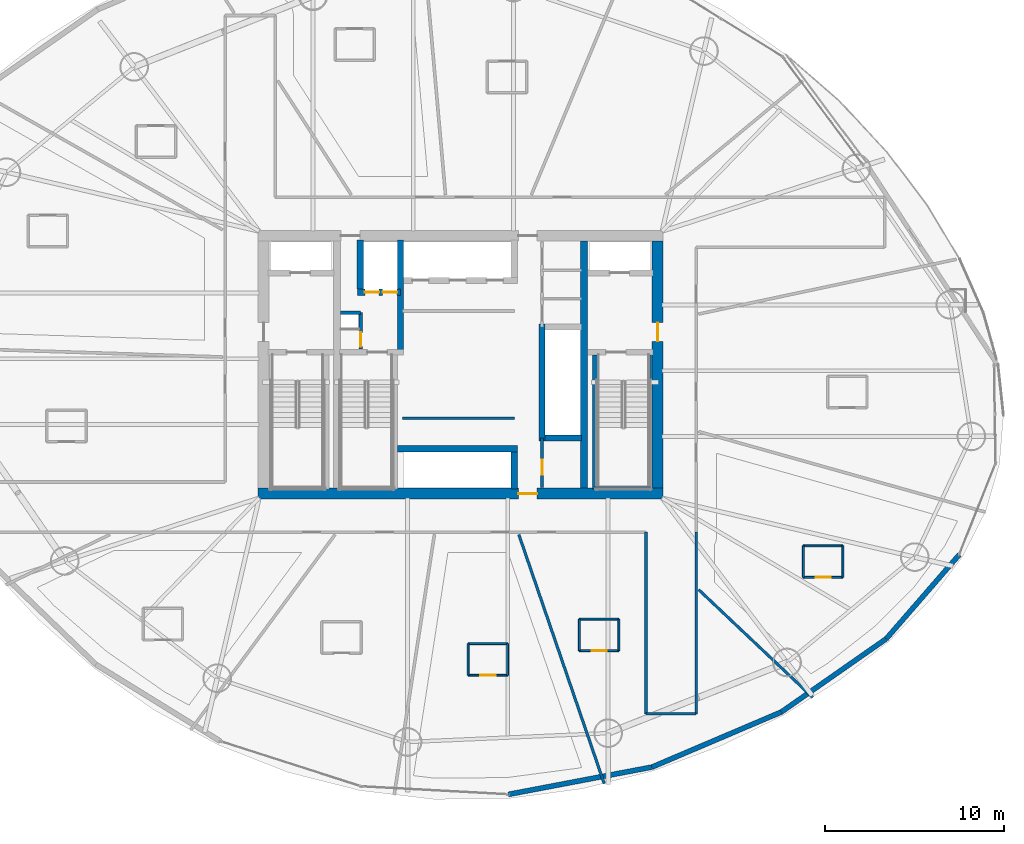
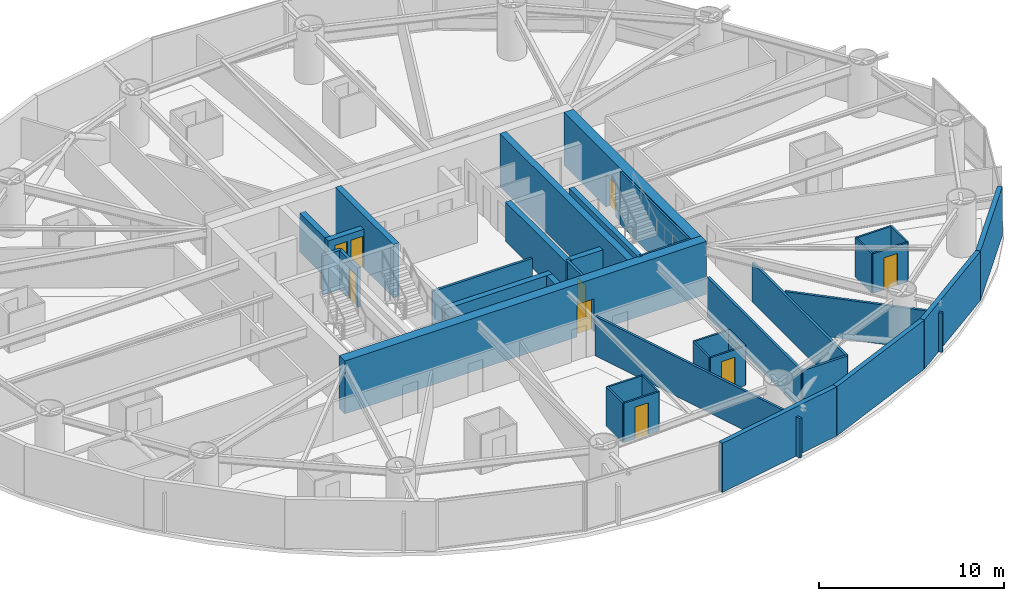
# One storey, part 20 of 26: 38 walls, 9 doors, 9 openings.
"""IFC4 building model written with IfcOpenShell, lengths in metres."""

from ifc_helpers import new_model, si_unit, direction, frame, frame_2d, origin, place, context, subcontext, project, spatial, rectangle, extrude, material, layer, layer_set, type_object, element, fill, save


model = new_model("IFC4")

# Units and contexts
model_context = context("Model", 3, precision=1e-05, world=origin(), true_north=direction((0.0, 1.0)))
body_context = subcontext(model_context, "Body", "Model", "MODEL_VIEW")
ifc_project = project(units=[si_unit("LENGTHUNIT", "METRE"), si_unit("AREAUNIT", "SQUARE_METRE"), si_unit("VOLUMEUNIT", "CUBIC_METRE"), si_unit("PLANEANGLEUNIT", "RADIAN"), si_unit("MASSUNIT", "GRAM", prefix="KILO")], contexts=[model_context])

# Site, building, storey
site_placement = place(None, origin())
site = spatial("IfcSite", under=ifc_project, at=site_placement, CompositionType="ELEMENT")
building_placement = place(site_placement, origin())
building = spatial("IfcBuilding", under=site, at=building_placement, Name="Bramvorn Convention Spire", CompositionType="ELEMENT")
storey_placement = place(building_placement, frame((0.0, 0.0, 76.39990234375)))
storey = spatial("IfcBuildingStorey", under=building, at=storey_placement, Name="L17", CompositionType="ELEMENT", Elevation=76.39990234375)

# Wall, opening, door
ifc_material_1 = material(Name="Concrete C60/70", Category="concrete")
ifc_layer_1 = layer(ifc_material_1, 0.60009765625)
ifc_layer_set_1 = layer_set([ifc_layer_1], Name="Concrete C60/70 - WL-CORE-600")
wall_type_1 = type_object("IfcWallType", Name="WL-CORE-600", PredefinedType="SHEAR", material=ifc_layer_set_1)
wall_1_placement = place(storey_placement, frame((26.699951171875, 18.800048828125, 0.0), z_axis=(0.0, 0.0, 1.0), x_axis=(1.0, 0.0, 0.0)))
wall_1 = element("IfcWall", 1, at=wall_1_placement, inside=storey, type_object=wall_type_1, Name="L17 South RC core shear wall", PredefinedType="SHEAR", context=body_context, shape_type="SweptSolid", body=[
    extrude(rectangle(XDim=22.60009765625, YDim=0.60009765625, at=frame_2d((11.300048828125, 0.0))), origin(), (0.0, 0.0, 1.0), 3.5),
])
opening_1_placement = place(wall_1_placement, frame((14.52001953125, 0.0, 0.0)))
opening_1 = element("IfcOpeningElement", 2, at=opening_1_placement, cuts=wall_1, Name="Opening DL-105", PredefinedType="OPENING", context=body_context, shape_type="SweptSolid", body=[
    extrude(rectangle(XDim=1.050048828125, YDim=2.14990234375, at=frame_2d((0.52490234375, 1.074951171875))), frame((0.0, 0.31005859375, 0.0), z_axis=(0.0, -1.0, 0.0), x_axis=(1.0, 0.0, 0.0)), (0.0, 0.0, 1.0), 0.6201171875),
])
ifc_material_2 = material(Name="Smoke-Sealed Fire Lobby Timber-Core Door", Category="wood")
door_type_1 = type_object("IfcDoorType", Name="DR-LOBBY-1050", OperationType="NOTDEFINED", PredefinedType="DOOR", material=ifc_material_2)
door_1_placement = place(opening_1_placement, origin())
door_1 = element("IfcDoor", 3, at=door_1_placement, inside=storey, type_object=door_type_1, Name="L17 South Lift Lobby fire door", OperationType="SINGLE_SWING_RIGHT", OverallHeight=2.14990234375, OverallWidth=1.050048828125, PredefinedType="DOOR", context=body_context, shape_type="SweptSolid", body=[
    extrude(rectangle(XDim=1.050048828125, YDim=2.14990234375, at=frame_2d((0.52490234375, 1.074951171875))), frame((0.0, 0.02490234375, 0.0), z_axis=(0.0, -1.0, 0.0), x_axis=(1.0, 0.0, 0.0)), (0.0, 0.0, 1.0), 0.050048828125),
])
fill(opening_1, door_1)

wall_2_placement = place(storey_placement, frame((49.0, 19.10009765625, 0.0), z_axis=(0.0, 0.0, 1.0), x_axis=(0.0, 1.0, 0.0)))
wall_2 = element("IfcWall", 4, at=wall_2_placement, inside=storey, type_object=wall_type_1, Name="L17 East RC core shear wall", PredefinedType="SHEAR", context=body_context, shape_type="SweptSolid", body=[
    extrude(rectangle(XDim=13.7998046875, YDim=0.60009765625, at=frame_2d((6.89990234375, 0.0))), origin(), (0.0, 0.0, 1.0), 3.5),
])
opening_2_placement = place(wall_2_placement, frame((8.199951171875, 0.0, 0.0)))
opening_2 = element("IfcOpeningElement", 5, at=opening_2_placement, cuts=wall_2, Name="Opening DL-105", PredefinedType="OPENING", context=body_context, shape_type="SweptSolid", body=[
    extrude(rectangle(XDim=1.050048828125, YDim=2.14990234375, at=frame_2d((0.52490234375, 1.074951171875))), frame((0.0, 0.31005859375, 0.0), z_axis=(0.0, -1.0, 0.0), x_axis=(1.0, 0.0, 0.0)), (0.0, 0.0, 1.0), 0.6201171875),
])
door_2_placement = place(opening_2_placement, origin())
door_2 = element("IfcDoor", 6, at=door_2_placement, inside=storey, type_object=door_type_1, Name="L17 East Firefighting Lobby corridor door", OperationType="SINGLE_SWING_LEFT", OverallHeight=2.14990234375, OverallWidth=1.050048828125, PredefinedType="DOOR", context=body_context, shape_type="SweptSolid", body=[
    extrude(rectangle(XDim=1.050048828125, YDim=2.14990234375, at=frame_2d((0.52490234375, 1.074951171875))), frame((0.0, 0.02490234375, 0.0), z_axis=(0.0, -1.0, 0.0), x_axis=(1.0, 0.0, 0.0)), (0.0, 0.0, 1.0), 0.050048828125),
])
fill(opening_2, door_2)

# Wall
ifc_material_3 = material(Name="Concrete C50/60", Category="concrete")
ifc_layer_2 = layer(ifc_material_3, 0.35009765625)
ifc_layer_set_2 = layer_set([ifc_layer_2], Name="Concrete C50/60 - WL-CORE-INT-350")
wall_type_2 = type_object("IfcWallType", Name="WL-CORE-INT-350", PredefinedType="SHEAR", material=ifc_layer_set_2)
wall_3_placement = place(storey_placement, frame((34.639892578125, 26.68994140625, 0.0), z_axis=(0.0, 0.0, 1.0), x_axis=(0.0, 1.0, 0.0)))
element("IfcWall", 7, at=wall_3_placement, inside=storey, type_object=wall_type_2, Name="L17 SV east core shaft wall", PredefinedType="SHEAR", context=body_context, shape_type="SweptSolid", body=[
    extrude(rectangle(XDim=6.260009765625, YDim=0.35009765625, at=frame_2d((3.1298828125, 0.0))), origin(), (0.0, 0.0, 1.0), 3.5),
])

# Wall, openings, doors
wall_4_placement = place(storey_placement, frame((32.22998046875, 30.050048828125, 0.0), z_axis=(0.0, 0.0, 1.0), x_axis=(1.0, 0.0, 0.0)))
wall_4 = element("IfcWall", 8, at=wall_4_placement, inside=storey, type_object=wall_type_2, Name="L17 SV1/SV2 shaft front wall", PredefinedType="SHEAR", context=body_context, shape_type="SweptSolid", body=[
    extrude(rectangle(XDim=2.409912109375, YDim=0.35009765625, at=frame_2d((1.205078125, 0.0))), origin(), (0.0, 0.0, 1.0), 2.60009765625),
])
opening_3_placement = place(wall_4_placement, frame((0.419921875, 0.0, 0.0)))
opening_3 = element("IfcOpeningElement", 9, at=opening_3_placement, cuts=wall_4, Name="Opening LD-080", PredefinedType="OPENING", context=body_context, shape_type="SweptSolid", body=[
    extrude(rectangle(XDim=0.800048828125, YDim=2.14990234375, at=frame_2d((0.39990234375, 1.074951171875))), frame((0.0, 0.18505859375, 0.0), z_axis=(0.0, -1.0, 0.0), x_axis=(1.0, 0.0, 0.0)), (0.0, 0.0, 1.0), 0.3701171875),
])
opening_4_placement = place(wall_4_placement, frame((1.419921875, 0.0, 0.0)))
opening_4 = element("IfcOpeningElement", 10, at=opening_4_placement, cuts=wall_4, Name="Opening LD-080", PredefinedType="OPENING", context=body_context, shape_type="SweptSolid", body=[
    extrude(rectangle(XDim=0.800048828125, YDim=2.14990234375, at=frame_2d((0.39990234375, 1.074951171875))), frame((0.0, 0.18505859375, 0.0), z_axis=(0.0, -1.0, 0.0), x_axis=(1.0, 0.0, 0.0)), (0.0, 0.0, 1.0), 0.3701171875),
])
ifc_material_4 = material(Name="Service Lift Bi-Parting Landing Door", Category="steel")
door_type_2 = type_object("IfcDoorType", Name="DR-LIFT-LD-800", OperationType="NOTDEFINED", PredefinedType="DOOR", material=ifc_material_4)
door_3_placement = place(opening_3_placement, origin())
door_3 = element("IfcDoor", 11, at=door_3_placement, inside=storey, type_object=door_type_2, Name="L17 Lift SV1 Sliding Landing Door", OperationType="SLIDING_TO_LEFT", OverallHeight=2.14990234375, OverallWidth=0.800048828125, PredefinedType="DOOR", context=body_context, shape_type="SweptSolid", body=[
    extrude(rectangle(XDim=0.800048828125, YDim=2.14990234375, at=frame_2d((0.39990234375, 1.074951171875))), frame((0.0, 0.02490234375, 0.0), z_axis=(0.0, -1.0, 0.0), x_axis=(1.0, 0.0, 0.0)), (0.0, 0.0, 1.0), 0.050048828125),
])
fill(opening_3, door_3)
door_4_placement = place(opening_4_placement, origin())
door_4 = element("IfcDoor", 12, at=door_4_placement, inside=storey, type_object=door_type_2, Name="L17 Lift SV2 Sliding Landing Door", OperationType="SLIDING_TO_LEFT", OverallHeight=2.14990234375, OverallWidth=0.800048828125, PredefinedType="DOOR", context=body_context, shape_type="SweptSolid", body=[
    extrude(rectangle(XDim=0.800048828125, YDim=2.14990234375, at=frame_2d((0.39990234375, 1.074951171875))), frame((0.0, 0.02490234375, 0.0), z_axis=(0.0, -1.0, 0.0), x_axis=(1.0, 0.0, 0.0)), (0.0, 0.0, 1.0), 0.050048828125),
])
fill(opening_4, door_4)

# Walls
wall_5_placement = place(storey_placement, frame((32.39990234375, 30.219970703125, 0.0), z_axis=(0.0, 0.0, 1.0), x_axis=(0.0, 1.0, 0.0)))
element("IfcWall", 13, at=wall_5_placement, inside=storey, type_object=wall_type_2, Name="L17 SV1 west hoistway wall", PredefinedType="SHEAR", context=body_context, shape_type="SweptSolid", body=[
    extrude(rectangle(XDim=2.72998046875, YDim=0.35009765625, at=frame_2d((1.364990234375, 0.0))), origin(), (0.0, 0.0, 1.0), 2.60009765625),
])
wall_6_placement = place(storey_placement, frame((42.550048828125, 21.72998046875, 0.0), z_axis=(0.0, 0.0, 1.0), x_axis=(0.0, 1.0, 0.0)))
element("IfcWall", 14, at=wall_6_placement, inside=storey, type_object=wall_type_2, Name="L17 High-rise lift bank west wall", PredefinedType="SHEAR", context=body_context, shape_type="SweptSolid", body=[
    extrude(rectangle(XDim=6.5400390625, YDim=0.35009765625, at=frame_2d((3.27001953125, 0.0))), origin(), (0.0, 0.0, 1.0), 2.60009765625),
])
wall_7_placement = place(storey_placement, frame((42.719970703125, 21.89990234375, 0.0), z_axis=(0.0, 0.0, 1.0), x_axis=(1.0, 0.0, 0.0)))
element("IfcWall", 15, at=wall_7_placement, inside=storey, type_object=wall_type_2, Name="L17 High-rise lift bank south wall", PredefinedType="SHEAR", context=body_context, shape_type="SweptSolid", body=[
    extrude(rectangle(XDim=2.030029296875, YDim=0.35009765625, at=frame_2d((1.01513671875, 0.0))), origin(), (0.0, 0.0, 1.0), 2.60009765625),
])
wall_8_placement = place(storey_placement, frame((34.489990234375, 21.300048828125, 0.0), z_axis=(0.0, 0.0, 1.0), x_axis=(1.0, 0.0, 0.0)))
element("IfcWall", 16, at=wall_8_placement, inside=storey, type_object=wall_type_2, Name="L17 Mid-rise bank north landing wall", PredefinedType="SHEAR", context=body_context, shape_type="SweptSolid", body=[
    extrude(rectangle(XDim=6.679931640625, YDim=0.35009765625, at=frame_2d((3.33984375, 0.0))), origin(), (0.0, 0.0, 1.0), 2.60009765625),
])
wall_9_placement = place(storey_placement, frame((41.0, 19.050048828125, 0.0), z_axis=(0.0, 0.0, 1.0), x_axis=(0.0, 1.0, 0.0)))
element("IfcWall", 17, at=wall_9_placement, inside=storey, type_object=wall_type_2, Name="L17 Mid-rise bank east cheek wall", PredefinedType="SHEAR", context=body_context, shape_type="SweptSolid", body=[
    extrude(rectangle(XDim=2.079833984375, YDim=0.35009765625, at=frame_2d((1.0400390625, 0.0))), origin(), (0.0, 0.0, 1.0), 2.60009765625),
])
ifc_layer_3 = layer(ifc_material_1, 0.39990234375)
ifc_layer_set_3 = layer_set([ifc_layer_3], Name="Concrete C60/70 - WL-CORE-INT-400")
wall_type_3 = type_object("IfcWallType", Name="WL-CORE-INT-400", PredefinedType="SHEAR", material=ifc_layer_set_3)
wall_10_placement = place(storey_placement, frame((44.89990234375, 19.10009765625, 0.0), z_axis=(0.0, 0.0, 1.0), x_axis=(0.0, 1.0, 0.0)))
element("IfcWall", 18, at=wall_10_placement, inside=storey, type_object=wall_type_3, Name="L17 East internal core shear web", PredefinedType="SHEAR", context=body_context, shape_type="SweptSolid", body=[
    extrude(rectangle(XDim=13.7998046875, YDim=0.39990234375, at=frame_2d((6.89990234375, 0.0))), origin(), (0.0, 0.0, 1.0), 3.5),
])
ifc_material_5 = material(Name="Precast Concrete C40/50 with Bronze Terracotta Rainscreen", Category="masonry")
ifc_layer_4 = layer(ifc_material_5, 0.300048828125)
ifc_layer_set_4 = layer_set([ifc_layer_4], Name="Precast Concrete C40/50 with Bronze Terracotta Rainscreen - WL-EXT-BRONZE-300")
wall_type_4 = type_object("IfcWallType", Name="WL-EXT-BRONZE-300", PredefinedType="SOLIDWALL", material=ifc_layer_set_4)
wall_11_placement = place(storey_placement, frame((48.69189453125, 3.531005859375, 0.0), z_axis=(0.0, 0.0, 1.0), x_axis=(-0.982367584705, -0.186959697585, 0.0)))
element("IfcWall", 19, at=wall_11_placement, inside=storey, type_object=wall_type_4, Name="L17 expressed bronze Gothic lancet pier wall 20", PredefinedType="SOLIDWALL", context=body_context, shape_type="SweptSolid", body=[
    extrude(rectangle(XDim=8.170654296875, YDim=0.280029296875, at=frame_2d((4.08544921875, 0.0))), origin(), (0.0, 0.0, 1.0), 3.25),
])
wall_12_placement = place(storey_placement, frame((55.90966796875, 6.604736328125, 0.0), z_axis=(0.0, 0.0, 1.0), x_axis=(-0.920047247752, -0.391807429617, 0.0)))
element("IfcWall", 20, at=wall_12_placement, inside=storey, type_object=wall_type_4, Name="L17 expressed bronze Gothic lancet pier wall 21", PredefinedType="SOLIDWALL", context=body_context, shape_type="SweptSolid", body=[
    extrude(rectangle(XDim=7.844970703125, YDim=0.280029296875, at=frame_2d((3.92236328125, 0.0))), origin(), (0.0, 0.0, 1.0), 3.25),
])
wall_13_placement = place(storey_placement, frame((61.766845703125, 10.69287109375, 0.0), z_axis=(0.0, 0.0, 1.0), x_axis=(-0.820013170428, -0.572344651695, 0.0)))
element("IfcWall", 21, at=wall_13_placement, inside=storey, type_object=wall_type_4, Name="L17 expressed bronze Gothic lancet pier wall 22", PredefinedType="SOLIDWALL", context=body_context, shape_type="SweptSolid", body=[
    extrude(rectangle(XDim=7.142822265625, YDim=0.280029296875, at=frame_2d((3.5712890625, 0.0))), origin(), (0.0, 0.0, 1.0), 3.25),
])
wall_14_placement = place(storey_placement, frame((65.840087890625, 15.38330078125, 0.0), z_axis=(0.0, 0.0, 1.0), x_axis=(-0.655684297122, -0.755035166405, 0.0)))
element("IfcWall", 22, at=wall_14_placement, inside=storey, type_object=wall_type_4, Name="L17 expressed bronze Gothic lancet pier wall 23", PredefinedType="SOLIDWALL", context=body_context, shape_type="SweptSolid", body=[
    extrude(rectangle(XDim=6.212158203125, YDim=0.280029296875, at=frame_2d((3.10595703125, 0.0))), origin(), (0.0, 0.0, 1.0), 3.25),
])

# Wall, opening, door
ifc_material_6 = material(Name="Lightweight En-Suite & Wet-Wall Partition", Category="gypsum")
ifc_layer_5 = layer(ifc_material_6, 0.110107421875)
ifc_layer_set_5 = layer_set([ifc_layer_5], Name="Lightweight En-Suite & Wet-Wall Partition - WL-PART-110")
wall_type_5 = type_object("IfcWallType", Name="WL-PART-110", PredefinedType="PARTITIONING", material=ifc_layer_set_5)
wall_15_placement = place(storey_placement, frame((38.425048828125, 8.656982421875, 0.0), z_axis=(0.0, 0.0, 1.0), x_axis=(1.0, 0.0, 0.0)))
wall_15 = element("IfcWall", 23, at=wall_15_placement, inside=storey, type_object=wall_type_5, Name="Hotel Suite 1710 en-suite south wall", PredefinedType="PARTITIONING", context=body_context, shape_type="SweptSolid", body=[
    extrude(rectangle(XDim=2.199951171875, YDim=0.110107421875, at=frame_2d((1.10009765625, 0.0))), origin(), (0.0, 0.0, 1.0), 2.60009765625),
])
opening_5_placement = place(wall_15_placement, frame((0.679931640625, 0.0, 0.0)))
opening_5 = element("IfcOpeningElement", 24, at=opening_5_placement, cuts=wall_15, Name="Opening DI-085", PredefinedType="OPENING", context=body_context, shape_type="SweptSolid", body=[
    extrude(rectangle(XDim=0.85009765625, YDim=2.10009765625, at=frame_2d((0.425048828125, 1.050048828125))), frame((0.0, 0.06494140625, 0.0), z_axis=(0.0, -1.0, 0.0), x_axis=(1.0, 0.0, 0.0)), (0.0, 0.0, 1.0), 0.130126953125),
])
ifc_material_7 = material(Name="En-Suite & Restroom Privacy Door", Category="wood")
door_type_3 = type_object("IfcDoorType", Name="DR-INT-850", OperationType="NOTDEFINED", PredefinedType="DOOR", material=ifc_material_7)
door_5_placement = place(opening_5_placement, origin())
door_5 = element("IfcDoor", 25, at=door_5_placement, inside=storey, type_object=door_type_3, Name="Hotel Suite 1710 En-Suite Bathroom door", OperationType="SINGLE_SWING_LEFT", OverallHeight=2.10009765625, OverallWidth=0.85009765625, PredefinedType="DOOR", context=body_context, shape_type="SweptSolid", body=[
    extrude(rectangle(XDim=0.85009765625, YDim=2.10009765625, at=frame_2d((0.425048828125, 1.050048828125))), frame((0.0, 0.02490234375, 0.0), z_axis=(0.0, -1.0, 0.0), x_axis=(1.0, 0.0, 0.0)), (0.0, 0.0, 1.0), 0.050048828125),
])
fill(opening_5, door_5)

# Walls
wall_16_placement = place(storey_placement, frame((38.425048828125, 10.4169921875, 0.0), z_axis=(0.0, 0.0, 1.0), x_axis=(1.0, 0.0, 0.0)))
element("IfcWall", 26, at=wall_16_placement, inside=storey, type_object=wall_type_5, Name="Hotel Suite 1710 en-suite north wall", PredefinedType="PARTITIONING", context=body_context, shape_type="SweptSolid", body=[
    extrude(rectangle(XDim=2.199951171875, YDim=0.110107421875, at=frame_2d((1.10009765625, 0.0))), origin(), (0.0, 0.0, 1.0), 2.60009765625),
])
for number, where, z_axis, x_axis, name in (
    (27, (38.425048828125, 8.656982421875, 0.0), (0.0, 0.0, 1.0), (0.0, 1.0, 0.0), "Hotel Suite 1710 en-suite west wall"),
    (28, (40.625, 8.656982421875, 0.0), (0.0, 0.0, 1.0), (0.0, 1.0, 0.0), "Hotel Suite 1710 en-suite east wall"),
):
    element("IfcWall", number, at=place(storey_placement, frame(where, z_axis=z_axis, x_axis=x_axis)), inside=storey, type_object=wall_type_5, Name=name, PredefinedType="PARTITIONING", context=body_context, shape_type="SweptSolid", body=[
        extrude(rectangle(XDim=1.760009765625, YDim=0.110107421875, at=frame_2d((0.8798828125, 0.0))), origin(), (0.0, 0.0, 1.0), 2.60009765625),
    ])

# Wall, opening, door
wall_17_placement = place(storey_placement, frame((44.635009765625, 10.034912109375, 0.0), z_axis=(0.0, 0.0, 1.0), x_axis=(1.0, 0.0, 0.0)))
wall_17 = element("IfcWall", 29, at=wall_17_placement, inside=storey, type_object=wall_type_5, Name="Hotel Suite 1711 en-suite south wall", PredefinedType="PARTITIONING", context=body_context, shape_type="SweptSolid", body=[
    extrude(rectangle(XDim=2.199951171875, YDim=0.110107421875, at=frame_2d((1.10009765625, 0.0))), origin(), (0.0, 0.0, 1.0), 2.60009765625),
])
opening_6_placement = place(wall_17_placement, frame((0.679931640625, 0.0, 0.0)))
opening_6 = element("IfcOpeningElement", 30, at=opening_6_placement, cuts=wall_17, Name="Opening DI-085", PredefinedType="OPENING", context=body_context, shape_type="SweptSolid", body=[
    extrude(rectangle(XDim=0.85009765625, YDim=2.10009765625, at=frame_2d((0.425048828125, 1.050048828125))), frame((0.0, 0.06494140625, 0.0), z_axis=(0.0, -1.0, 0.0), x_axis=(1.0, 0.0, 0.0)), (0.0, 0.0, 1.0), 0.130126953125),
])
door_6_placement = place(opening_6_placement, origin())
door_6 = element("IfcDoor", 31, at=door_6_placement, inside=storey, type_object=door_type_3, Name="Hotel Suite 1711 En-Suite Bathroom door", OperationType="SINGLE_SWING_LEFT", OverallHeight=2.10009765625, OverallWidth=0.85009765625, PredefinedType="DOOR", context=body_context, shape_type="SweptSolid", body=[
    extrude(rectangle(XDim=0.85009765625, YDim=2.10009765625, at=frame_2d((0.425048828125, 1.050048828125))), frame((0.0, 0.02490234375, 0.0), z_axis=(0.0, -1.0, 0.0), x_axis=(1.0, 0.0, 0.0)), (0.0, 0.0, 1.0), 0.050048828125),
])
fill(opening_6, door_6)

# Walls
wall_18_placement = place(storey_placement, frame((44.635009765625, 11.794921875, 0.0), z_axis=(0.0, 0.0, 1.0), x_axis=(1.0, 0.0, 0.0)))
element("IfcWall", 32, at=wall_18_placement, inside=storey, type_object=wall_type_5, Name="Hotel Suite 1711 en-suite north wall", PredefinedType="PARTITIONING", context=body_context, shape_type="SweptSolid", body=[
    extrude(rectangle(XDim=2.199951171875, YDim=0.110107421875, at=frame_2d((1.10009765625, 0.0))), origin(), (0.0, 0.0, 1.0), 2.60009765625),
])
for number, where, z_axis, x_axis, name in (
    (33, (44.635009765625, 10.034912109375, 0.0), (0.0, 0.0, 1.0), (0.0, 1.0, 0.0), "Hotel Suite 1711 en-suite west wall"),
    (34, (46.8349609375, 10.034912109375, 0.0), (0.0, 0.0, 1.0), (0.0, 1.0, 0.0), "Hotel Suite 1711 en-suite east wall"),
):
    element("IfcWall", number, at=place(storey_placement, frame(where, z_axis=z_axis, x_axis=x_axis)), inside=storey, type_object=wall_type_5, Name=name, PredefinedType="PARTITIONING", context=body_context, shape_type="SweptSolid", body=[
        extrude(rectangle(XDim=1.760009765625, YDim=0.110107421875, at=frame_2d((0.8798828125, 0.0))), origin(), (0.0, 0.0, 1.0), 2.60009765625),
    ])

# Wall, opening, door
wall_19_placement = place(storey_placement, frame((57.14111328125, 14.125732421875, 0.0), z_axis=(0.0, 0.0, 1.0), x_axis=(1.0, 0.0, 0.0)))
wall_19 = element("IfcWall", 35, at=wall_19_placement, inside=storey, type_object=wall_type_5, Name="Hotel Suite 1712 en-suite south wall", PredefinedType="PARTITIONING", context=body_context, shape_type="SweptSolid", body=[
    extrude(rectangle(XDim=2.199951171875, YDim=0.110107421875, at=frame_2d((1.10009765625, 0.0))), origin(), (0.0, 0.0, 1.0), 2.60009765625),
])
opening_7_placement = place(wall_19_placement, frame((0.679931640625, 0.0, 0.0)))
opening_7 = element("IfcOpeningElement", 36, at=opening_7_placement, cuts=wall_19, Name="Opening DI-085", PredefinedType="OPENING", context=body_context, shape_type="SweptSolid", body=[
    extrude(rectangle(XDim=0.85009765625, YDim=2.10009765625, at=frame_2d((0.425048828125, 1.050048828125))), frame((0.0, 0.06494140625, 0.0), z_axis=(0.0, -1.0, 0.0), x_axis=(1.0, 0.0, 0.0)), (0.0, 0.0, 1.0), 0.130126953125),
])
door_7_placement = place(opening_7_placement, origin())
door_7 = element("IfcDoor", 37, at=door_7_placement, inside=storey, type_object=door_type_3, Name="Hotel Suite 1712 En-Suite Bathroom door", OperationType="SINGLE_SWING_LEFT", OverallHeight=2.10009765625, OverallWidth=0.85009765625, PredefinedType="DOOR", context=body_context, shape_type="SweptSolid", body=[
    extrude(rectangle(XDim=0.85009765625, YDim=2.10009765625, at=frame_2d((0.425048828125, 1.050048828125))), frame((0.0, 0.02490234375, 0.0), z_axis=(0.0, -1.0, 0.0), x_axis=(1.0, 0.0, 0.0)), (0.0, 0.0, 1.0), 0.050048828125),
])
fill(opening_7, door_7)

# Walls
wall_20_placement = place(storey_placement, frame((57.14111328125, 15.8857421875, 0.0), z_axis=(0.0, 0.0, 1.0), x_axis=(1.0, 0.0, 0.0)))
element("IfcWall", 38, at=wall_20_placement, inside=storey, type_object=wall_type_5, Name="Hotel Suite 1712 en-suite north wall", PredefinedType="PARTITIONING", context=body_context, shape_type="SweptSolid", body=[
    extrude(rectangle(XDim=2.199951171875, YDim=0.110107421875, at=frame_2d((1.10009765625, 0.0))), origin(), (0.0, 0.0, 1.0), 2.60009765625),
])
for number, where, z_axis, x_axis, name in (
    (39, (57.14111328125, 14.125732421875, 0.0), (0.0, 0.0, 1.0), (0.0, 1.0, 0.0), "Hotel Suite 1712 en-suite west wall"),
    (40, (59.341064453125, 14.125732421875, 0.0), (0.0, 0.0, 1.0), (0.0, 1.0, 0.0), "Hotel Suite 1712 en-suite east wall"),
):
    element("IfcWall", number, at=place(storey_placement, frame(where, z_axis=z_axis, x_axis=x_axis)), inside=storey, type_object=wall_type_5, Name=name, PredefinedType="PARTITIONING", context=body_context, shape_type="SweptSolid", body=[
        extrude(rectangle(XDim=1.760009765625, YDim=0.110107421875, at=frame_2d((0.8798828125, 0.0))), origin(), (0.0, 0.0, 1.0), 2.60009765625),
    ])
ifc_material_8 = material(Name="Acoustic Metal-Stud Tenant/Corridor Partition", Category="gypsum")
ifc_layer_6 = layer(ifc_material_8, 0.14990234375)
ifc_layer_set_6 = layer_set([ifc_layer_6], Name="Acoustic Metal-Stud Tenant/Corridor Partition - WL-PART-150")
wall_type_6 = type_object("IfcWallType", Name="WL-PART-150", PredefinedType="PARTITIONING", material=ifc_layer_set_6)
wall_21_placement = place(storey_placement, frame((34.75, 23.0, 0.0), z_axis=(0.0, 0.0, 1.0), x_axis=(1.0, 0.0, 0.0)))
element("IfcWall", 41, at=wall_21_placement, inside=storey, type_object=wall_type_6, Name="L17 Mid-rise lift vestibule north wall", PredefinedType="PARTITIONING", context=body_context, shape_type="SweptSolid", body=[
    extrude(rectangle(XDim=6.25, YDim=0.14990234375, at=frame_2d((3.125, 0.0))), origin(), (0.0, 0.0, 1.0), 2.60009765625),
])

# Wall, opening, door
wall_22_placement = place(storey_placement, frame((42.550048828125, 19.14990234375, 0.0), z_axis=(0.0, 0.0, 1.0), x_axis=(0.0, 1.0, 0.0)))
wall_22 = element("IfcWall", 42, at=wall_22_placement, inside=storey, type_object=wall_type_6, Name="L17 KC SE wall", PredefinedType="PARTITIONING", context=body_context, shape_type="SweptSolid", body=[
    extrude(rectangle(XDim=2.75, YDim=0.14990234375, at=frame_2d((1.375, 0.0))), origin(), (0.0, 0.0, 1.0), 2.60009765625),
])
opening_8_placement = place(wall_22_placement, frame((0.699951171875, 0.0, 0.0)))
opening_8 = element("IfcOpeningElement", 43, at=opening_8_placement, cuts=wall_22, Name="Opening DC-085", PredefinedType="OPENING", context=body_context, shape_type="SweptSolid", body=[
    extrude(rectangle(XDim=0.85009765625, YDim=2.10009765625, at=frame_2d((0.425048828125, 1.050048828125))), frame((0.0, 0.0849609375, 0.0), z_axis=(0.0, -1.0, 0.0), x_axis=(1.0, 0.0, 0.0)), (0.0, 0.0, 1.0), 0.169921875),
])
ifc_material_9 = material(Name="Fire-Rated Core Washroom & IDF Door", Category="wood")
door_type_4 = type_object("IfcDoorType", Name="DR-CORE-850", OperationType="NOTDEFINED", PredefinedType="DOOR", material=ifc_material_9)
door_8_placement = place(opening_8_placement, origin())
door_8 = element("IfcDoor", 44, at=door_8_placement, inside=storey, type_object=door_type_4, Name="L17 Core Valve & Riser Room door", OperationType="SINGLE_SWING_LEFT", OverallHeight=2.10009765625, OverallWidth=0.85009765625, PredefinedType="DOOR", context=body_context, shape_type="SweptSolid", body=[
    extrude(rectangle(XDim=0.85009765625, YDim=2.10009765625, at=frame_2d((0.425048828125, 1.050048828125))), frame((0.0, 0.02490234375, 0.0), z_axis=(0.0, -1.0, 0.0), x_axis=(1.0, 0.0, 0.0)), (0.0, 0.0, 1.0), 0.050048828125),
])
fill(opening_8, door_8)

# Walls
for number, where, z_axis, x_axis, name in (
    (45, (48.35009765625, 6.5, 0.0), (0.0, 0.0, 1.0), (0.0, 1.0, 0.0), "L17 SE pinwheel wing west wall"),
    (46, (51.14990234375, 6.5, 0.0), (0.0, 0.0, 1.0), (0.0, 1.0, 0.0), "L17 SE pinwheel wing east wall"),
):
    element("IfcWall", number, at=place(storey_placement, frame(where, z_axis=z_axis, x_axis=x_axis)), inside=storey, type_object=wall_type_6, Name=name, PredefinedType="PARTITIONING", context=body_context, shape_type="SweptSolid", body=[
        extrude(rectangle(XDim=10.14990234375, YDim=0.14990234375, at=frame_2d((5.074951171875, 0.0))), origin(), (0.0, 0.0, 1.0), 2.60009765625),
    ])
wall_23_placement = place(storey_placement, frame((48.35009765625, 6.5, 0.0), z_axis=(0.0, 0.0, 1.0), x_axis=(1.0, 0.0, 0.0)))
element("IfcWall", 47, at=wall_23_placement, inside=storey, type_object=wall_type_6, Name="L17 SE pinwheel end wall", PredefinedType="PARTITIONING", context=body_context, shape_type="SweptSolid", body=[
    extrude(rectangle(XDim=2.7998046875, YDim=0.14990234375, at=frame_2d((1.39990234375, 0.0))), origin(), (0.0, 0.0, 1.0), 2.60009765625),
])
wall_24_placement = place(storey_placement, frame((41.25341796875, 16.510009765625, 0.0), z_axis=(0.0, 0.0, 1.0), x_axis=(0.324297168355, -0.945955256128, 0.0)))
element("IfcWall", 48, at=wall_24_placement, inside=storey, type_object=wall_type_6, Name="L17 Guestroom demising wall 11", PredefinedType="PARTITIONING", context=body_context, shape_type="SweptSolid", body=[
    extrude(rectangle(XDim=14.710205078125, YDim=0.14990234375, at=frame_2d((7.35498046875, 0.0))), origin(), (0.0, 0.0, 1.0), 2.60009765625),
])
wall_25_placement = place(storey_placement, frame((51.2900390625, 13.43896484375, 0.0), z_axis=(0.0, 0.0, 1.0), x_axis=(0.726754697613, -0.686897087996, 0.0)))
element("IfcWall", 49, at=wall_25_placement, inside=storey, type_object=wall_type_6, Name="L17 Guestroom demising wall 12", PredefinedType="PARTITIONING", context=body_context, shape_type="SweptSolid", body=[
    extrude(rectangle(XDim=8.777587890625, YDim=0.14990234375, at=frame_2d((4.388671875, 0.0))), origin(), (0.0, 0.0, 1.0), 2.60009765625),
])

# Wall, opening, door
ifc_material_10 = material(Name="Gypsum Shaftwall & Rockwool Core Partition", Category="gypsum")
ifc_layer_7 = layer(ifc_material_10, 0.199951171875)
ifc_layer_set_7 = layer_set([ifc_layer_7], Name="Gypsum Shaftwall & Rockwool Core Partition - WL-PART-200-FR")
wall_type_7 = type_object("IfcWallType", Name="WL-PART-200-FR", PredefinedType="PARTITIONING", material=ifc_layer_set_7)
wall_26_placement = place(storey_placement, frame((32.419921875, 26.860107421875, 0.0), z_axis=(0.0, 0.0, 1.0), x_axis=(0.0, 1.0, 0.0)))
wall_26 = element("IfcWall", 50, at=wall_26_placement, inside=storey, type_object=wall_type_7, Name="L17 Telecom riser east wall", PredefinedType="PARTITIONING", context=body_context, shape_type="SweptSolid", body=[
    extrude(rectangle(XDim=2.039794921875, YDim=0.199951171875, at=frame_2d((1.02001953125, 0.0))), origin(), (0.0, 0.0, 1.0), 2.60009765625),
])
opening_9_placement = place(wall_26_placement, frame((0.139892578125, 0.0, 0.0)))
opening_9 = element("IfcOpeningElement", 51, at=opening_9_placement, cuts=wall_26, Name="Opening DR-080", PredefinedType="OPENING", context=body_context, shape_type="SweptSolid", body=[
    extrude(rectangle(XDim=0.800048828125, YDim=2.050048828125, at=frame_2d((0.39990234375, 1.02490234375))), frame((0.0, 0.10986328125, 0.0), z_axis=(0.0, -1.0, 0.0), x_axis=(1.0, 0.0, 0.0)), (0.0, 0.0, 1.0), 0.219970703125),
])
ifc_material_11 = material(Name="Flush Steel Riser Access Door", Category="steel")
door_type_5 = type_object("IfcDoorType", Name="DR-RISER-800", OperationType="NOTDEFINED", PredefinedType="DOOR", material=ifc_material_11)
door_9_placement = place(opening_9_placement, origin())
door_9 = element("IfcDoor", 52, at=door_9_placement, inside=storey, type_object=door_type_5, Name="L17 Telecom riser access door", OperationType="SINGLE_SWING_RIGHT", OverallHeight=2.050048828125, OverallWidth=0.800048828125, PredefinedType="DOOR", context=body_context, shape_type="SweptSolid", body=[
    extrude(rectangle(XDim=0.800048828125, YDim=2.050048828125, at=frame_2d((0.39990234375, 1.02490234375))), frame((0.0, 0.02490234375, 0.0), z_axis=(0.0, -1.0, 0.0), x_axis=(1.0, 0.0, 0.0)), (0.0, 0.0, 1.0), 0.050048828125),
])
fill(opening_9, door_9)

# Walls
wall_27_placement = place(storey_placement, frame((31.300048828125, 28.89990234375, 0.0), z_axis=(0.0, 0.0, 1.0), x_axis=(1.0, 0.0, 0.0)))
element("IfcWall", 53, at=wall_27_placement, inside=storey, type_object=wall_type_7, Name="L17 Telecom riser north wall", PredefinedType="PARTITIONING", context=body_context, shape_type="SweptSolid", body=[
    extrude(rectangle(XDim=1.119873046875, YDim=0.199951171875, at=frame_2d((0.56005859375, 0.0))), origin(), (0.0, 0.0, 1.0), 2.60009765625),
])
ifc_layer_8 = layer(ifc_material_3, 0.300048828125)
ifc_layer_set_8 = layer_set([ifc_layer_8], Name="Concrete C50/60 - WL-POD-STAIR-300")
wall_type_8 = type_object("IfcWallType", Name="WL-POD-STAIR-300", PredefinedType="SHEAR", material=ifc_layer_set_8)
wall_28_placement = place(storey_placement, frame((45.510009765625, 19.050048828125, 0.0), z_axis=(0.0, 0.0, 1.0), x_axis=(0.0, 1.0, 0.0)))
element("IfcWall", 54, at=wall_28_placement, inside=storey, type_object=wall_type_8, Name="L17 ST2 west bearing wall", PredefinedType="SHEAR", context=body_context, shape_type="SweptSolid", body=[
    extrude(rectangle(XDim=7.5, YDim=0.300048828125, at=frame_2d((3.75, 0.0))), origin(), (0.0, 0.0, 1.0), 3.5),
])
ifc_layer_9 = layer(ifc_material_3, 0.1201171875)
ifc_layer_set_9 = layer_set([ifc_layer_9], Name="Concrete C50/60 - WL-STAIR-RC-120")
wall_type_9 = type_object("IfcWallType", Name="WL-STAIR-RC-120", PredefinedType="SHEAR", material=ifc_layer_set_9)
wall_29_placement = place(storey_placement, frame((48.60498046875, 19.10009765625, 0.0), z_axis=(0.0, 0.0, 1.0), x_axis=(0.0, 1.0, 0.0)))
element("IfcWall", 55, at=wall_29_placement, inside=storey, type_object=wall_type_9, Name="L17 ST2 east bearing shear wall", PredefinedType="SHEAR", context=body_context, shape_type="SweptSolid", body=[
    extrude(rectangle(XDim=7.449951171875, YDim=0.1201171875, at=frame_2d((3.72509765625, 0.0))), origin(), (0.0, 0.0, 1.0), 3.5),
])
wall_30_placement = place(storey_placement, frame((45.510009765625, 19.159912109375, 0.0), z_axis=(0.0, 0.0, 1.0), x_axis=(1.0, 0.0, 0.0)))
element("IfcWall", 56, at=wall_30_placement, inside=storey, type_object=wall_type_9, Name="L17 ST2 south bearing shear wall", PredefinedType="SHEAR", context=body_context, shape_type="SweptSolid", body=[
    extrude(rectangle(XDim=3.094970703125, YDim=0.1201171875, at=frame_2d((1.54736328125, 0.0))), origin(), (0.0, 0.0, 1.0), 3.5),
])

save(model, "model.ifc")
